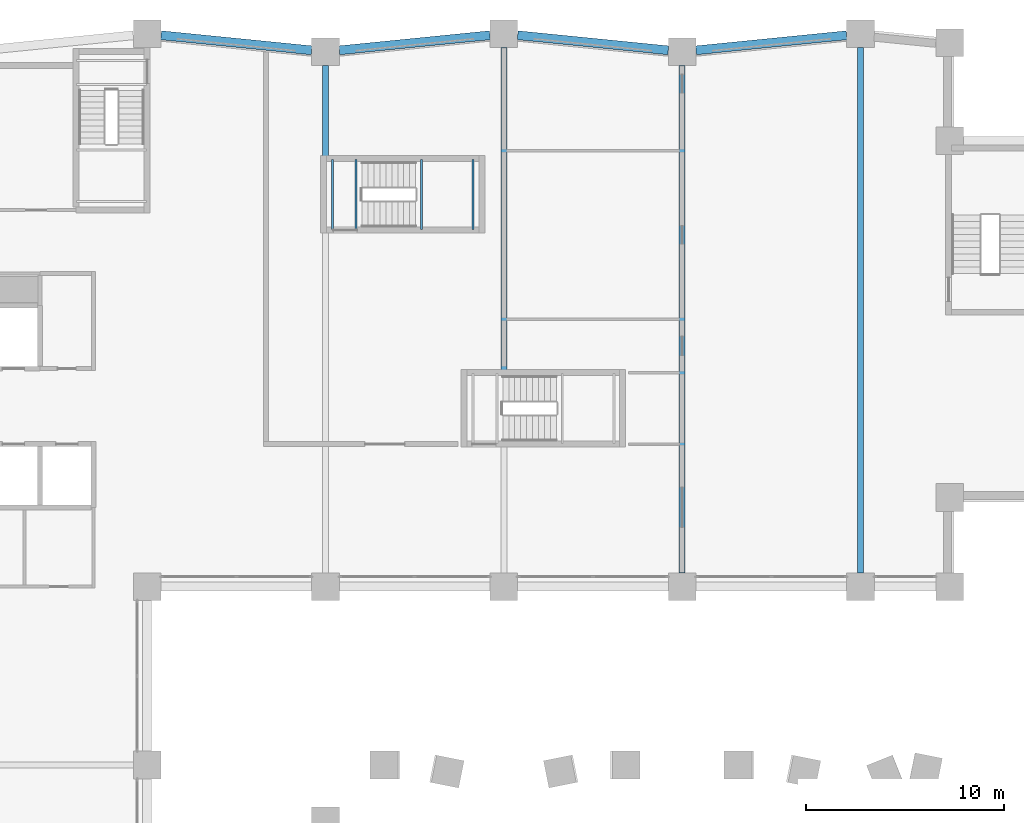
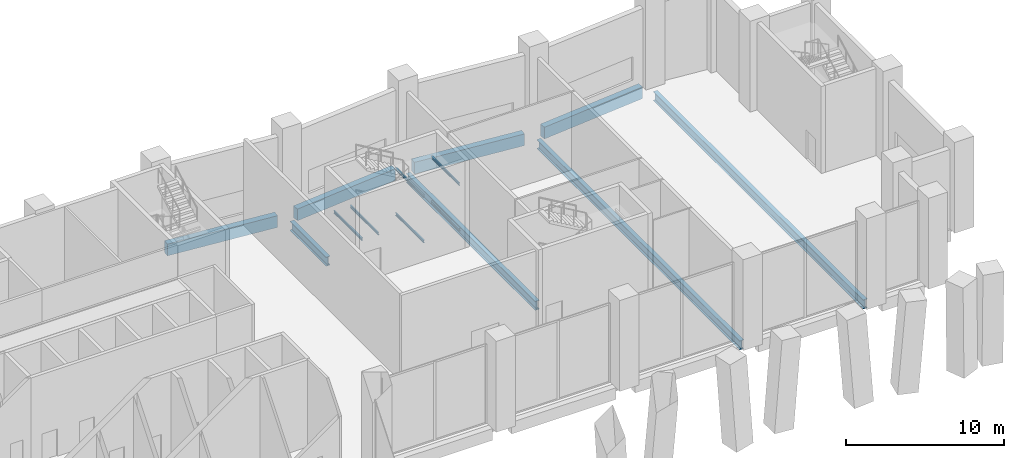
# One storey, part 7 of 18: 14 beams.
"""IFC4 building model written with IfcOpenShell, lengths in metres."""

from ifc_helpers import new_model, si_unit, direction, frame, origin, origin_2d, place, context, subcontext, project, spatial, rectangle, i_section, extrude, material, material_profile, profile_set, type_object, element, save


model = new_model("IFC4")

# Units and contexts
model_context = context("Model", 3, precision=1e-05, world=origin(), true_north=direction((0.0, 1.0)))
body_context = subcontext(model_context, "Body", "Model", "MODEL_VIEW")
ifc_project = project(units=[si_unit("LENGTHUNIT", "METRE"), si_unit("AREAUNIT", "SQUARE_METRE"), si_unit("VOLUMEUNIT", "CUBIC_METRE"), si_unit("PLANEANGLEUNIT", "RADIAN"), si_unit("MASSUNIT", "GRAM", prefix="KILO")], contexts=[model_context])

# Site, building, storey
site_placement = place(None, origin())
site = spatial("IfcSite", under=ifc_project, at=site_placement, CompositionType="ELEMENT")
building_placement = place(site_placement, origin())
building = spatial("IfcBuilding", under=site, at=building_placement, Name="Brondeck Convention Tower", CompositionType="ELEMENT")
storey_placement = place(building_placement, frame((0.0, 0.0, 7.5)))
storey = spatial("IfcBuildingStorey", under=building, at=storey_placement, Name="L01", CompositionType="ELEMENT", Elevation=7.5)

# Beams
ifc_material_1 = material(Name="Concrete C80/95", Category="concrete")
ifc_material_profile_1 = material_profile(ifc_material_1, rectangle(XDim=0.449951171875, YDim=0.89990234375, at=origin_2d()), Name="Edge beam 450x900 Concrete C80/95")
ifc_profile_set_1 = profile_set([ifc_material_profile_1], Name="Concrete C80/95")
beam_type_1 = type_object("IfcBeamType", Name="Edge beam 450x900 Concrete C80/95", PredefinedType="BEAM", material=ifc_profile_set_1)
for number, where, z_axis, x_axis, name in (
    (1, (62.300048828125, 63.830078125, -0.449951171875), (-0.99503719021, -0.099503719021, 0.0), (0.099503719021, -0.99503719021, 0.0), "STR-SP-L01-021"),
    (2, (53.300048828125, 63.070068359375, -0.449951171875), (-0.99503719021, 0.099503719021, 0.0), (-0.099503719021, -0.99503719021, 0.0), "STR-SP-L01-022"),
    (3, (44.300048828125, 63.830078125, -0.449951171875), (-0.99503719021, -0.099503719021, 0.0), (0.099503719021, -0.99503719021, 0.0), "STR-SP-L01-023"),
    (4, (35.300048828125, 63.070068359375, -0.449951171875), (-0.99503719021, 0.099503719021, 0.0), (-0.099503719021, -0.99503719021, 0.0), "STR-SP-L01-024"),
):
    element("IfcBeam", number, at=place(storey_placement, frame(where, z_axis=z_axis, x_axis=x_axis)), inside=storey, type_object=beam_type_1, Name=name, PredefinedType="BEAM", context=body_context, shape_type="SweptSolid", body=[
        extrude(rectangle(XDim=0.449951171875, YDim=0.89990234375, at=origin_2d()), origin(), (0.0, 0.0, 1.0), 7.637939453125),
    ])
ifc_material_2 = material(Name="Steel S355", Category="steel")
ifc_material_profile_2 = material_profile(ifc_material_2, i_section(OverallWidth=0.300048828125, OverallDepth=0.699951171875, WebThickness=0.01708984375, FlangeThickness=0.031982421875, FilletRadius=0.027099609375, at=origin_2d()), Name="HEB 700")
ifc_profile_set_2 = profile_set([ifc_material_profile_2], Name="Steel S355")
beam_type_2 = type_object("IfcBeamType", Name="Girder HEB 700", PredefinedType="BEAM", material=ifc_profile_set_2)
beam_1_placement = place(storey_placement, frame((36.0, 57.719970703125, -0.64990234375), z_axis=(0.0, 1.0, 0.0), x_axis=(-1.0, 0.0, 0.0)))
element("IfcBeam", 5, at=beam_1_placement, inside=storey, type_object=beam_type_2, Name="STR-GR-L01-002", PredefinedType="BEAM", context=body_context, shape_type="SweptSolid", body=[
    extrude(i_section(OverallWidth=0.300048828125, OverallDepth=0.699951171875, WebThickness=0.01708984375, FlangeThickness=0.031982421875, FilletRadius=0.027099609375, at=origin_2d()), origin(), (0.0, 0.0, 1.0), 4.580078125),
])
beam_2_placement = place(storey_placement, frame((45.0, 46.919921875, -0.64990234375), z_axis=(0.0, 1.0, 0.0), x_axis=(-1.0, 0.0, 0.0)))
element("IfcBeam", 6, at=beam_2_placement, inside=storey, type_object=beam_type_2, Name="STR-GR-L01-004", PredefinedType="BEAM", context=body_context, shape_type="SweptSolid", body=[
    extrude(i_section(OverallWidth=0.300048828125, OverallDepth=0.699951171875, WebThickness=0.01708984375, FlangeThickness=0.031982421875, FilletRadius=0.027099609375, at=origin_2d()), origin(), (0.0, 0.0, 1.0), 16.280029296875),
])
beam_3_placement = place(storey_placement, frame((54.0, 36.699951171875, -0.64990234375), z_axis=(0.0, 1.0, 0.0), x_axis=(-1.0, 0.0, 0.0)))
element("IfcBeam", 7, at=beam_3_placement, inside=storey, type_object=beam_type_2, Name="STR-GR-L01-005", PredefinedType="BEAM", context=body_context, shape_type="SweptSolid", body=[
    extrude(i_section(OverallWidth=0.300048828125, OverallDepth=0.699951171875, WebThickness=0.01708984375, FlangeThickness=0.031982421875, FilletRadius=0.027099609375, at=origin_2d()), origin(), (0.0, 0.0, 1.0), 25.60009765625),
])
beam_4_placement = place(storey_placement, frame((63.0, 36.699951171875, -0.64990234375), z_axis=(0.0, 1.0, 0.0), x_axis=(-1.0, 0.0, 0.0)))
element("IfcBeam", 8, at=beam_4_placement, inside=storey, type_object=beam_type_2, Name="STR-GR-L01-006", PredefinedType="BEAM", context=body_context, shape_type="SweptSolid", body=[
    extrude(i_section(OverallWidth=0.300048828125, OverallDepth=0.699951171875, WebThickness=0.01708984375, FlangeThickness=0.031982421875, FilletRadius=0.027099609375, at=origin_2d()), origin(), (0.0, 0.0, 1.0), 26.5),
])
ifc_material_profile_3 = material_profile(ifc_material_2, i_section(OverallWidth=0.10009765625, OverallDepth=0.199951171875, WebThickness=0.005615234375, FlangeThickness=0.008544921875, FilletRadius=0.011962890625, at=origin_2d()), Name="IPE200")
ifc_profile_set_3 = profile_set([ifc_material_profile_3], Name="Steel S355")
beam_type_3 = type_object("IfcBeamType", Name="Landing ledger beam IPE 200", PredefinedType="BEAM", material=ifc_profile_set_3)
for number, where, z_axis, x_axis, name in (
    (9, (40.85009765625, 54.030029296875, 1.39990234375), (0.0, 1.0, 0.0), (-1.0, 0.0, 0.0), "L01 ST-AE landing beam"),
    (10, (43.449951171875, 54.030029296875, 1.39990234375), (0.0, 1.0, 0.0), (-1.0, 0.0, 0.0), "L01 ST-AE landing beam"),
    (11, (36.35009765625, 54.030029296875, 3.14990234375), (0.0, 1.0, 0.0), (-1.0, 0.0, 0.0), "L01 ST-AE landing beam"),
    (12, (37.550048828125, 54.030029296875, 3.14990234375), (0.0, 1.0, 0.0), (-1.0, 0.0, 0.0), "L01 ST-AE landing beam"),
    (13, (40.85009765625, 54.030029296875, 4.89990234375), (0.0, 1.0, 0.0), (-1.0, 0.0, 0.0), "L01 ST-AE landing beam"),
    (14, (43.449951171875, 54.030029296875, 4.89990234375), (0.0, 1.0, 0.0), (-1.0, 0.0, 0.0), "L01 ST-AE landing beam"),
):
    element("IfcBeam", number, at=place(storey_placement, frame(where, z_axis=z_axis, x_axis=x_axis)), inside=storey, type_object=beam_type_3, Name=name, PredefinedType="BEAM", context=body_context, shape_type="SweptSolid", body=[
        extrude(i_section(OverallWidth=0.10009765625, OverallDepth=0.199951171875, WebThickness=0.005615234375, FlangeThickness=0.008544921875, FilletRadius=0.011962890625, at=origin_2d()), origin(), (0.0, 0.0, 1.0), 3.5400390625),
    ])

save(model, "model.ifc")
